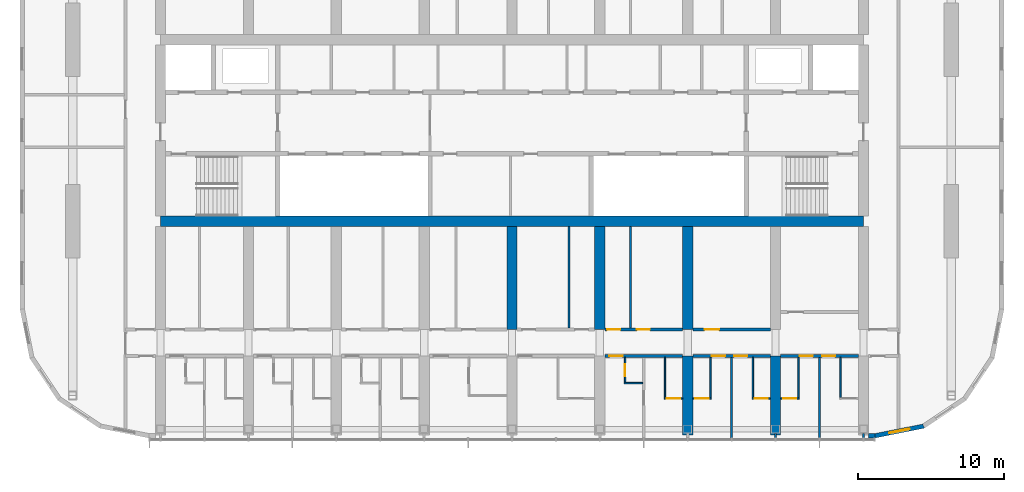
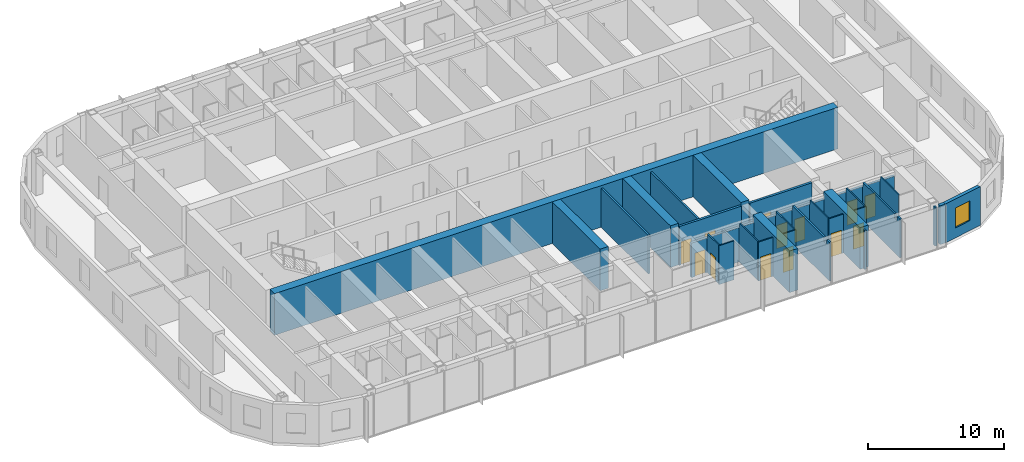
# One storey, part 13 of 24: 30 walls, 13 doors, 1 window, 14 openings.
"""IFC4 building model written with IfcOpenShell, lengths in metres."""

from ifc_helpers import new_model, si_unit, direction, frame, frame_2d, origin, place, context, subcontext, project, spatial, polyline, rectangle, outline, extrude, material, layer, layer_set, type_object, element, fill, save


model = new_model("IFC4")

# Units and contexts
model_context = context("Model", 3, precision=1e-05, world=origin(), true_north=direction((0.0, 1.0)))
body_context = subcontext(model_context, "Body", "Model", "MODEL_VIEW")
ifc_project = project(units=[si_unit("LENGTHUNIT", "METRE"), si_unit("AREAUNIT", "SQUARE_METRE"), si_unit("VOLUMEUNIT", "CUBIC_METRE"), si_unit("PLANEANGLEUNIT", "RADIAN"), si_unit("MASSUNIT", "GRAM", prefix="KILO")], contexts=[model_context])

# Site, building, storey
site_placement = place(None, origin())
site = spatial("IfcSite", under=ifc_project, at=site_placement, CompositionType="ELEMENT")
building_placement = place(site_placement, origin())
building = spatial("IfcBuilding", under=site, at=building_placement, Name="Orbita Commons", CompositionType="ELEMENT")
storey_placement = place(building_placement, frame((0.0, 0.0, 239.050048828125)))
storey = spatial("IfcBuildingStorey", under=building, at=storey_placement, Name="L59", CompositionType="ELEMENT", Elevation=239.050048828125)

# Wall
ifc_material_1 = material(Name="Concrete C50/60", Category="concrete")
ifc_layer_1 = layer(ifc_material_1, 0.699951171875)
ifc_layer_set_1 = layer_set([ifc_layer_1], Name="Concrete C50/60")
wall_type_1 = type_object("IfcWallType", Name="Core wall 700 C50/60", PredefinedType="SHEAR", material=ifc_layer_set_1)
wall_1_placement = place(storey_placement, frame((18.0, 25.800048828125, 0.0), z_axis=(0.0, 0.0, 1.0), x_axis=(1.0, 0.0, 0.0)))
element("IfcWall", 1, at=wall_1_placement, inside=storey, type_object=wall_type_1, Name="Core spine wall south L59", PredefinedType="SHEAR", context=body_context, shape_type="SweptSolid", body=[
    extrude(rectangle(XDim=48.0, YDim=0.699951171875, at=frame_2d((24.0, 0.0))), origin(), (0.0, 0.0, 1.0), 3.75),
])

# Wall, opening, door
ifc_material_2 = material(Name="Concrete blockwork", Category="masonry")
ifc_layer_2 = layer(ifc_material_2, 0.199951171875)
ifc_layer_set_2 = layer_set([ifc_layer_2], Name="Concrete blockwork")
wall_type_2 = type_object("IfcWallType", Name="Corridor wall 200 blockwork", PredefinedType="SOLIDWALL", material=ifc_layer_set_2)
wall_2_placement = place(storey_placement, frame((48.35009765625, 16.60009765625, 0.0), z_axis=(0.0, 0.0, 1.0), x_axis=(1.0, 0.0, 0.0)))
wall_2 = element("IfcWall", 2, at=wall_2_placement, inside=storey, type_object=wall_type_2, Name="Corridor wall 200 blockwork L59", PredefinedType="SOLIDWALL", context=body_context, shape_type="SweptSolid", body=[
    extrude(outline(polyline([(0.0, 0.0), (5.2998046875, 0.0), (5.300048828125, 3.099853515625), (0.0, 3.099853515625), (0.0, 0.0)])), frame((0.0, 0.10009765625, 0.0), z_axis=(0.0, -1.0, 0.0), x_axis=(1.0, 0.0, 0.0)), (0.0, 0.0, 1.0), 0.199951171875),
])
opening_1_placement = place(wall_2_placement, frame((0.300048828125, 0.0, 0.0)))
opening_1 = element("IfcOpeningElement", 3, at=opening_1_placement, cuts=wall_2, Name="Opening D11", PredefinedType="OPENING", context=body_context, shape_type="SweptSolid", body=[
    extrude(rectangle(XDim=0.89990234375, YDim=2.10009765625, at=frame_2d((0.449951171875, 1.050048828125))), frame((0.0, 0.10986328125, 0.0), z_axis=(0.0, -1.0, 0.0), x_axis=(1.0, 0.0, 0.0)), (0.0, 0.0, 1.0), 0.219970703125),
])
ifc_material_3 = material(Name="Steel-faced fire door leaf", Category="steel")
door_type_1 = type_object("IfcDoorType", Name="Corridor door 20 min 900x2100", OperationType="SINGLE_SWING_LEFT", PredefinedType="DOOR", material=ifc_material_3)
door_1_placement = place(opening_1_placement, origin())
door_1 = element("IfcDoor", 4, at=door_1_placement, inside=storey, type_object=door_type_1, Name="Guest suite sitting room and kitchenette L59-S10 entrance door", OperationType="SINGLE_SWING_LEFT", OverallHeight=2.10009765625, OverallWidth=0.89990234375, PredefinedType="DOOR", context=body_context, shape_type="SweptSolid", body=[
    extrude(rectangle(XDim=0.89990234375, YDim=2.10009765625, at=frame_2d((0.449951171875, 1.050048828125))), frame((0.0, 0.02490234375, 0.0), z_axis=(0.0, -1.0, 0.0), x_axis=(1.0, 0.0, 0.0)), (0.0, 0.0, 1.0), 0.050048828125),
])
fill(opening_1, door_1)

# Wall, openings, doors
wall_3_placement = place(storey_placement, frame((54.35009765625, 16.60009765625, 0.0), z_axis=(0.0, 0.0, 1.0), x_axis=(1.0, 0.0, 0.0)))
wall_3 = element("IfcWall", 5, at=wall_3_placement, inside=storey, type_object=wall_type_2, Name="Corridor wall 200 blockwork L59", PredefinedType="SOLIDWALL", context=body_context, shape_type="SweptSolid", body=[
    extrude(outline(polyline([(0.0, 0.0), (5.2998046875, 0.0), (5.300048828125, 3.099853515625), (0.0, 3.099853515625), (0.0, 0.0)])), frame((0.0, 0.10009765625, 0.0), z_axis=(0.0, -1.0, 0.0), x_axis=(1.0, 0.0, 0.0)), (0.0, 0.0, 1.0), 0.199951171875),
])
opening_2_placement = place(wall_3_placement, frame((1.300048828125, 0.0, 0.0)))
opening_2 = element("IfcOpeningElement", 6, at=opening_2_placement, cuts=wall_3, Name="Opening D11", PredefinedType="OPENING", context=body_context, shape_type="SweptSolid", body=[
    extrude(rectangle(XDim=0.89990234375, YDim=2.10009765625, at=frame_2d((0.449951171875, 1.050048828125))), frame((0.0, 0.10986328125, 0.0), z_axis=(0.0, -1.0, 0.0), x_axis=(1.0, 0.0, 0.0)), (0.0, 0.0, 1.0), 0.219970703125),
])
opening_3_placement = place(wall_3_placement, frame((2.824951171875, 0.0, 0.0)))
opening_3 = element("IfcOpeningElement", 7, at=opening_3_placement, cuts=wall_3, Name="Opening D11", PredefinedType="OPENING", context=body_context, shape_type="SweptSolid", body=[
    extrude(rectangle(XDim=0.89990234375, YDim=2.10009765625, at=frame_2d((0.449951171875, 1.050048828125))), frame((0.0, 0.10986328125, 0.0), z_axis=(0.0, -1.0, 0.0), x_axis=(1.0, 0.0, 0.0)), (0.0, 0.0, 1.0), 0.219970703125),
])
door_2_placement = place(opening_2_placement, origin())
door_2 = element("IfcDoor", 8, at=door_2_placement, inside=storey, type_object=door_type_1, Name="Cluster bedroom L59-S12 door", OperationType="SINGLE_SWING_LEFT", OverallHeight=2.10009765625, OverallWidth=0.89990234375, PredefinedType="DOOR", context=body_context, shape_type="SweptSolid", body=[
    extrude(rectangle(XDim=0.89990234375, YDim=2.10009765625, at=frame_2d((0.449951171875, 1.050048828125))), frame((0.0, 0.02490234375, 0.0), z_axis=(0.0, -1.0, 0.0), x_axis=(1.0, 0.0, 0.0)), (0.0, 0.0, 1.0), 0.050048828125),
])
fill(opening_2, door_2)
door_3_placement = place(opening_3_placement, origin())
door_3 = element("IfcDoor", 9, at=door_3_placement, inside=storey, type_object=door_type_1, Name="Cluster bedroom L59-S13 door", OperationType="SINGLE_SWING_LEFT", OverallHeight=2.10009765625, OverallWidth=0.89990234375, PredefinedType="DOOR", context=body_context, shape_type="SweptSolid", body=[
    extrude(rectangle(XDim=0.89990234375, YDim=2.10009765625, at=frame_2d((0.449951171875, 1.050048828125))), frame((0.0, 0.02490234375, 0.0), z_axis=(0.0, -1.0, 0.0), x_axis=(1.0, 0.0, 0.0)), (0.0, 0.0, 1.0), 0.050048828125),
])
fill(opening_3, door_3)

wall_4_placement = place(storey_placement, frame((60.35009765625, 16.60009765625, 0.0), z_axis=(0.0, 0.0, 1.0), x_axis=(1.0, 0.0, 0.0)))
wall_4 = element("IfcWall", 10, at=wall_4_placement, inside=storey, type_object=wall_type_2, Name="Corridor wall 200 blockwork L59", PredefinedType="SOLIDWALL", context=body_context, shape_type="SweptSolid", body=[
    extrude(outline(polyline([(0.0, 0.0), (5.2998046875, 0.0), (5.300048828125, 3.099853515625), (0.0, 3.099853515625), (0.0, 0.0)])), frame((0.0, 0.10009765625, 0.0), z_axis=(0.0, -1.0, 0.0), x_axis=(1.0, 0.0, 0.0)), (0.0, 0.0, 1.0), 0.199951171875),
])
opening_4_placement = place(wall_4_placement, frame((1.300048828125, 0.0, 0.0)))
opening_4 = element("IfcOpeningElement", 11, at=opening_4_placement, cuts=wall_4, Name="Opening D11", PredefinedType="OPENING", context=body_context, shape_type="SweptSolid", body=[
    extrude(rectangle(XDim=0.89990234375, YDim=2.10009765625, at=frame_2d((0.449951171875, 1.050048828125))), frame((0.0, 0.10986328125, 0.0), z_axis=(0.0, -1.0, 0.0), x_axis=(1.0, 0.0, 0.0)), (0.0, 0.0, 1.0), 0.219970703125),
])
opening_5_placement = place(wall_4_placement, frame((2.824951171875, 0.0, 0.0)))
opening_5 = element("IfcOpeningElement", 12, at=opening_5_placement, cuts=wall_4, Name="Opening D11", PredefinedType="OPENING", context=body_context, shape_type="SweptSolid", body=[
    extrude(rectangle(XDim=0.89990234375, YDim=2.10009765625, at=frame_2d((0.449951171875, 1.050048828125))), frame((0.0, 0.10986328125, 0.0), z_axis=(0.0, -1.0, 0.0), x_axis=(1.0, 0.0, 0.0)), (0.0, 0.0, 1.0), 0.219970703125),
])
door_4_placement = place(opening_4_placement, origin())
door_4 = element("IfcDoor", 13, at=door_4_placement, inside=storey, type_object=door_type_1, Name="Cluster bedroom L59-S14 door", OperationType="SINGLE_SWING_LEFT", OverallHeight=2.10009765625, OverallWidth=0.89990234375, PredefinedType="DOOR", context=body_context, shape_type="SweptSolid", body=[
    extrude(rectangle(XDim=0.89990234375, YDim=2.10009765625, at=frame_2d((0.449951171875, 1.050048828125))), frame((0.0, 0.02490234375, 0.0), z_axis=(0.0, -1.0, 0.0), x_axis=(1.0, 0.0, 0.0)), (0.0, 0.0, 1.0), 0.050048828125),
])
fill(opening_4, door_4)
door_5_placement = place(opening_5_placement, origin())
door_5 = element("IfcDoor", 14, at=door_5_placement, inside=storey, type_object=door_type_1, Name="Cluster bedroom L59-S15 door", OperationType="SINGLE_SWING_LEFT", OverallHeight=2.10009765625, OverallWidth=0.89990234375, PredefinedType="DOOR", context=body_context, shape_type="SweptSolid", body=[
    extrude(rectangle(XDim=0.89990234375, YDim=2.10009765625, at=frame_2d((0.449951171875, 1.050048828125))), frame((0.0, 0.02490234375, 0.0), z_axis=(0.0, -1.0, 0.0), x_axis=(1.0, 0.0, 0.0)), (0.0, 0.0, 1.0), 0.050048828125),
])
fill(opening_5, door_5)

ifc_material_4 = material(Name="Hollow concrete block 200", Category="concrete")
ifc_layer_3 = layer(ifc_material_4, 0.199951171875)
ifc_layer_set_3 = layer_set([ifc_layer_3], Name="Hollow concrete block 200")
wall_type_3 = type_object("IfcWallType", Name="Corridor wall 200 hollow concrete block", PredefinedType="SOLIDWALL", material=ifc_layer_set_3)
wall_5_placement = place(storey_placement, frame((48.35009765625, 18.39990234375, 0.0), z_axis=(0.0, 0.0, 1.0), x_axis=(1.0, 0.0, 0.0)))
wall_5 = element("IfcWall", 15, at=wall_5_placement, inside=storey, type_object=wall_type_3, Name="Corridor wall 200 hollow concrete block L59", PredefinedType="SOLIDWALL", context=body_context, shape_type="SweptSolid", body=[
    extrude(rectangle(XDim=5.2998046875, YDim=0.199951171875, at=frame_2d((2.64990234375, 0.0))), origin(), (0.0, 0.0, 1.0), 3.5),
])
opening_6_placement = place(wall_5_placement, frame((0.14990234375, 0.0, 0.0)))
opening_6 = element("IfcOpeningElement", 16, at=opening_6_placement, cuts=wall_5, Name="Opening D11", PredefinedType="OPENING", context=body_context, shape_type="SweptSolid", body=[
    extrude(rectangle(XDim=0.89990234375, YDim=2.10009765625, at=frame_2d((0.449951171875, 1.050048828125))), frame((0.0, 0.10986328125, 0.0), z_axis=(0.0, -1.0, 0.0), x_axis=(1.0, 0.0, 0.0)), (0.0, 0.0, 1.0), 0.219970703125),
])
opening_7_placement = place(wall_5_placement, frame((2.169921875, 0.0, 0.0)))
opening_7 = element("IfcOpeningElement", 17, at=opening_7_placement, cuts=wall_5, Name="Opening D11", PredefinedType="OPENING", context=body_context, shape_type="SweptSolid", body=[
    extrude(rectangle(XDim=0.89990234375, YDim=2.10009765625, at=frame_2d((0.449951171875, 1.050048828125))), frame((0.0, 0.10986328125, 0.0), z_axis=(0.0, -1.0, 0.0), x_axis=(1.0, 0.0, 0.0)), (0.0, 0.0, 1.0), 0.219970703125),
])
door_6_placement = place(opening_6_placement, origin())
door_6 = element("IfcDoor", 18, at=door_6_placement, inside=storey, type_object=door_type_1, Name="Sprinkler valve room L59-BDS48n door", OperationType="SINGLE_SWING_LEFT", OverallHeight=2.10009765625, OverallWidth=0.89990234375, PredefinedType="DOOR", context=body_context, shape_type="SweptSolid", body=[
    extrude(rectangle(XDim=0.89990234375, YDim=2.10009765625, at=frame_2d((0.449951171875, 1.050048828125))), frame((0.0, 0.02490234375, 0.0), z_axis=(0.0, -1.0, 0.0), x_axis=(1.0, 0.0, 0.0)), (0.0, 0.0, 1.0), 0.050048828125),
])
fill(opening_6, door_6)
door_7_placement = place(opening_7_placement, origin())
door_7 = element("IfcDoor", 19, at=door_7_placement, inside=storey, type_object=door_type_1, Name="Print and copy room L59-BDS48 door", OperationType="SINGLE_SWING_LEFT", OverallHeight=2.10009765625, OverallWidth=0.89990234375, PredefinedType="DOOR", context=body_context, shape_type="SweptSolid", body=[
    extrude(rectangle(XDim=0.89990234375, YDim=2.10009765625, at=frame_2d((0.449951171875, 1.050048828125))), frame((0.0, 0.02490234375, 0.0), z_axis=(0.0, -1.0, 0.0), x_axis=(1.0, 0.0, 0.0)), (0.0, 0.0, 1.0), 0.050048828125),
])
fill(opening_7, door_7)

# Wall, opening, door
wall_6_placement = place(storey_placement, frame((54.35009765625, 18.39990234375, 0.0), z_axis=(0.0, 0.0, 1.0), x_axis=(1.0, 0.0, 0.0)))
wall_6 = element("IfcWall", 20, at=wall_6_placement, inside=storey, type_object=wall_type_3, Name="Corridor wall 200 hollow concrete block L59", PredefinedType="SOLIDWALL", context=body_context, shape_type="SweptSolid", body=[
    extrude(rectangle(XDim=5.2998046875, YDim=0.199951171875, at=frame_2d((2.64990234375, 0.0))), origin(), (0.0, 0.0, 1.0), 3.5),
])
opening_8_placement = place(wall_6_placement, frame((0.800048828125, 0.0, 0.0)))
opening_8 = element("IfcOpeningElement", 21, at=opening_8_placement, cuts=wall_6, Name="Opening D06", PredefinedType="OPENING", context=body_context, shape_type="SweptSolid", body=[
    extrude(rectangle(XDim=1.0, YDim=2.10009765625, at=frame_2d((0.5, 1.050048828125))), frame((0.0, 0.10986328125, 0.0), z_axis=(0.0, -1.0, 0.0), x_axis=(1.0, 0.0, 0.0)), (0.0, 0.0, 1.0), 0.219970703125),
])
ifc_material_5 = material(Name="Steel-faced fire door leaf", Category="steel")
door_type_2 = type_object("IfcDoorType", Name="Corridor door 20 min 1000x2100", OperationType="SINGLE_SWING_LEFT", PredefinedType="DOOR", material=ifc_material_5)
door_8_placement = place(opening_8_placement, origin())
door_8 = element("IfcDoor", 22, at=door_8_placement, inside=storey, type_object=door_type_2, Name="Cleaners store L59-BDS54 door", OperationType="SINGLE_SWING_LEFT", OverallHeight=2.10009765625, OverallWidth=1.0, PredefinedType="DOOR", context=body_context, shape_type="SweptSolid", body=[
    extrude(rectangle(XDim=1.0, YDim=2.10009765625, at=frame_2d((0.5, 1.050048828125))), frame((0.0, 0.02490234375, 0.0), z_axis=(0.0, -1.0, 0.0), x_axis=(1.0, 0.0, 0.0)), (0.0, 0.0, 1.0), 0.050048828125),
])
fill(opening_8, door_8)

# Walls
ifc_material_6 = material(Name="Concrete C50/60", Category="concrete")
ifc_layer_4 = layer(ifc_material_6, 0.699951171875)
ifc_layer_set_4 = layer_set([ifc_layer_4], Name="Concrete C50/60")
wall_type_4 = type_object("IfcWallType", Name="Cross wall 700 C50/60", PredefinedType="SHEAR", material=ifc_layer_set_4)
for number, where, z_axis, x_axis, name in (
    (23, (42.0, 18.39990234375, 0.0), (0.0, 0.0, 1.0), (0.0, 1.0, 0.0), "Cross wall 8 south inner L59"),
    (24, (48.0, 18.39990234375, 0.0), (0.0, 0.0, 1.0), (0.0, 1.0, 0.0), "Cross wall 9 south inner L59"),
):
    element("IfcWall", number, at=place(storey_placement, frame(where, z_axis=z_axis, x_axis=x_axis)), inside=storey, type_object=wall_type_4, Name=name, PredefinedType="SHEAR", context=body_context, shape_type="SweptSolid", body=[
        extrude(rectangle(XDim=7.050048828125, YDim=0.699951171875, at=frame_2d((3.52490234375, 0.0))), origin(), (0.0, 0.0, 1.0), 3.75),
    ])
wall_7_placement = place(storey_placement, frame((54.0, 11.199951171875, 0.0), z_axis=(0.0, 0.0, 1.0), x_axis=(0.0, 1.0, 0.0)))
element("IfcWall", 25, at=wall_7_placement, inside=storey, type_object=wall_type_4, Name="Cross wall 10 south outer L59", PredefinedType="SHEAR", context=body_context, shape_type="SweptSolid", body=[
    extrude(rectangle(XDim=5.400146484375, YDim=0.699951171875, at=frame_2d((2.7001953125, 0.0))), origin(), (0.0, 0.0, 1.0), 3.75),
])
wall_8_placement = place(storey_placement, frame((54.0, 18.39990234375, 0.0), z_axis=(0.0, 0.0, 1.0), x_axis=(0.0, 1.0, 0.0)))
element("IfcWall", 26, at=wall_8_placement, inside=storey, type_object=wall_type_4, Name="Cross wall 10 south inner L59", PredefinedType="SHEAR", context=body_context, shape_type="SweptSolid", body=[
    extrude(rectangle(XDim=7.050048828125, YDim=0.699951171875, at=frame_2d((3.52490234375, 0.0))), origin(), (0.0, 0.0, 1.0), 3.75),
])
wall_9_placement = place(storey_placement, frame((60.0, 11.199951171875, 0.0), z_axis=(0.0, 0.0, 1.0), x_axis=(0.0, 1.0, 0.0)))
element("IfcWall", 27, at=wall_9_placement, inside=storey, type_object=wall_type_4, Name="Cross wall 11 south outer L59", PredefinedType="SHEAR", context=body_context, shape_type="SweptSolid", body=[
    extrude(rectangle(XDim=5.400146484375, YDim=0.699951171875, at=frame_2d((2.7001953125, 0.0))), origin(), (0.0, 0.0, 1.0), 3.75),
])

# Wall, opening, door
ifc_material_7 = material(Name="Moisture-resistant plasterboard on steel studs", Category="steel")
ifc_layer_5 = layer(ifc_material_7, 0.10009765625)
ifc_layer_set_5 = layer_set([ifc_layer_5], Name="Moisture-resistant plasterboard on steel studs")
wall_type_5 = type_object("IfcWallType", Name="En-suite partition 100", PredefinedType="PARTITIONING", material=ifc_layer_set_5)
wall_10_placement = place(storey_placement, frame((53.64990234375, 13.699951171875, 0.0), z_axis=(0.0, 0.0, 1.0), x_axis=(-1.0, 0.0, 0.0)))
wall_10 = element("IfcWall", 28, at=wall_10_placement, inside=storey, type_object=wall_type_5, Name="En-suite partition 100 L59", PredefinedType="PARTITIONING", context=body_context, shape_type="SweptSolid", body=[
    extrude(rectangle(XDim=1.25, YDim=0.10009765625, at=frame_2d((0.625, 0.0))), origin(), (0.0, 0.0, 1.0), 3.5),
])
opening_9_placement = place(wall_10_placement, frame((0.175048828125, 0.0, 0.0)))
opening_9 = element("IfcOpeningElement", 29, at=opening_9_placement, cuts=wall_10, Name="Opening D09", PredefinedType="OPENING", context=body_context, shape_type="SweptSolid", body=[
    extrude(rectangle(XDim=0.89990234375, YDim=2.10009765625, at=frame_2d((0.449951171875, 1.050048828125))), frame((0.0, 0.06005859375, 0.0), z_axis=(0.0, -1.0, 0.0), x_axis=(1.0, 0.0, 0.0)), (0.0, 0.0, 1.0), 0.1201171875),
])
ifc_material_8 = material(Name="Laminated timber door leaf", Category="wood")
door_type_3 = type_object("IfcDoorType", Name="En-suite door 900x2100", OperationType="SINGLE_SWING_RIGHT", PredefinedType="DOOR", material=ifc_material_8)
door_9_placement = place(opening_9_placement, origin())
door_9 = element("IfcDoor", 30, at=door_9_placement, inside=storey, type_object=door_type_3, Name="En-suite L59-S11 door", OperationType="SINGLE_SWING_RIGHT", OverallHeight=2.10009765625, OverallWidth=0.89990234375, PredefinedType="DOOR", context=body_context, shape_type="SweptSolid", body=[
    extrude(rectangle(XDim=0.89990234375, YDim=2.10009765625, at=frame_2d((0.449951171875, 1.050048828125))), frame((0.0, 0.02490234375, 0.0), z_axis=(0.0, -1.0, 0.0), x_axis=(1.0, 0.0, 0.0)), (0.0, 0.0, 1.0), 0.050048828125),
])
fill(opening_9, door_9)

# Walls
wall_11_placement = place(storey_placement, frame((52.449951171875, 13.75, 0.0), z_axis=(0.0, 0.0, 1.0), x_axis=(0.0, 1.0, 0.0)))
element("IfcWall", 31, at=wall_11_placement, inside=storey, type_object=wall_type_5, Name="En-suite partition 100 L59", PredefinedType="PARTITIONING", context=body_context, shape_type="SweptSolid", body=[
    extrude(outline(polyline([(0.0, 0.0), (2.75, 0.0), (2.75, 3.099853515625), (2.701904296875, 3.099853515625), (2.699951171875, 3.5), (0.0, 3.5), (0.0, 0.0)])), frame((0.0, 0.050048828125, 0.0), z_axis=(0.0, -1.0, 0.0), x_axis=(1.0, 0.0, 0.0)), (0.0, 0.0, 1.0), 0.10009765625),
])
wall_12_placement = place(storey_placement, frame((49.64990234375, 14.75, 0.0), z_axis=(0.0, 0.0, 1.0), x_axis=(1.0, 0.0, 0.0)))
element("IfcWall", 32, at=wall_12_placement, inside=storey, type_object=wall_type_5, Name="En-suite partition 100 L59", PredefinedType="PARTITIONING", context=body_context, shape_type="SweptSolid", body=[
    extrude(rectangle(XDim=1.275146484375, YDim=0.10009765625, at=frame_2d((0.6376953125, 0.0))), origin(), (0.0, 0.0, 1.0), 3.5),
])

# Wall, opening, door
wall_13_placement = place(storey_placement, frame((49.72509765625, 14.75, 0.0), z_axis=(0.0, 0.0, 1.0), x_axis=(0.0, 1.0, 0.0)))
wall_13 = element("IfcWall", 33, at=wall_13_placement, inside=storey, type_object=wall_type_5, Name="En-suite partition 100 L59", PredefinedType="PARTITIONING", context=body_context, shape_type="SweptSolid", body=[
    extrude(outline(polyline([(0.0, 0.0), (1.75, 0.0), (1.75, 3.099853515625), (1.701904296875, 3.099853515625), (1.699951171875, 3.5), (0.0, 3.5), (0.0, 0.0)])), frame((0.0, 0.050048828125, 0.0), z_axis=(0.0, -1.0, 0.0), x_axis=(1.0, 0.0, 0.0)), (0.0, 0.0, 1.0), 0.10009765625),
])
opening_10_placement = place(wall_13_placement, frame((0.47509765625, 0.0, 0.0)))
opening_10 = element("IfcOpeningElement", 34, at=opening_10_placement, cuts=wall_13, Name="Opening D16", PredefinedType="OPENING", context=body_context, shape_type="SweptSolid", body=[
    extrude(rectangle(XDim=0.800048828125, YDim=2.10009765625, at=frame_2d((0.39990234375, 1.050048828125))), frame((0.0, 0.06005859375, 0.0), z_axis=(0.0, -1.0, 0.0), x_axis=(1.0, 0.0, 0.0)), (0.0, 0.0, 1.0), 0.1201171875),
])
ifc_material_9 = material(Name="Laminated timber door leaf", Category="wood")
door_type_4 = type_object("IfcDoorType", Name="En-suite door 800x2100", OperationType="SINGLE_SWING_RIGHT", PredefinedType="DOOR", material=ifc_material_9)
door_10_placement = place(opening_10_placement, origin())
door_10 = element("IfcDoor", 35, at=door_10_placement, inside=storey, type_object=door_type_4, Name="Guest suite WC L59-S10 door", OperationType="SINGLE_SWING_RIGHT", OverallHeight=2.10009765625, OverallWidth=0.800048828125, PredefinedType="DOOR", context=body_context, shape_type="SweptSolid", body=[
    extrude(rectangle(XDim=0.800048828125, YDim=2.10009765625, at=frame_2d((0.39990234375, 1.050048828125))), frame((0.0, 0.02490234375, 0.0), z_axis=(0.0, -1.0, 0.0), x_axis=(1.0, 0.0, 0.0)), (0.0, 0.0, 1.0), 0.050048828125),
])
fill(opening_10, door_10)

wall_14_placement = place(storey_placement, frame((55.60009765625, 13.699951171875, 0.0), z_axis=(0.0, 0.0, 1.0), x_axis=(-1.0, 0.0, 0.0)))
wall_14 = element("IfcWall", 36, at=wall_14_placement, inside=storey, type_object=wall_type_5, Name="En-suite partition 100 L59", PredefinedType="PARTITIONING", context=body_context, shape_type="SweptSolid", body=[
    extrude(rectangle(XDim=1.25, YDim=0.10009765625, at=frame_2d((0.625, 0.0))), origin(), (0.0, 0.0, 1.0), 3.5),
])
opening_11_placement = place(wall_14_placement, frame((0.175048828125, 0.0, 0.0)))
opening_11 = element("IfcOpeningElement", 37, at=opening_11_placement, cuts=wall_14, Name="Opening D09", PredefinedType="OPENING", context=body_context, shape_type="SweptSolid", body=[
    extrude(rectangle(XDim=0.89990234375, YDim=2.10009765625, at=frame_2d((0.449951171875, 1.050048828125))), frame((0.0, 0.06005859375, 0.0), z_axis=(0.0, -1.0, 0.0), x_axis=(1.0, 0.0, 0.0)), (0.0, 0.0, 1.0), 0.1201171875),
])
door_11_placement = place(opening_11_placement, origin())
door_11 = element("IfcDoor", 38, at=door_11_placement, inside=storey, type_object=door_type_3, Name="En-suite L59-S12 door", OperationType="SINGLE_SWING_RIGHT", OverallHeight=2.10009765625, OverallWidth=0.89990234375, PredefinedType="DOOR", context=body_context, shape_type="SweptSolid", body=[
    extrude(rectangle(XDim=0.89990234375, YDim=2.10009765625, at=frame_2d((0.449951171875, 1.050048828125))), frame((0.0, 0.02490234375, 0.0), z_axis=(0.0, -1.0, 0.0), x_axis=(1.0, 0.0, 0.0)), (0.0, 0.0, 1.0), 0.050048828125),
])
fill(opening_11, door_11)

# Wall
wall_15_placement = place(storey_placement, frame((55.550048828125, 13.75, 0.0), z_axis=(0.0, 0.0, 1.0), x_axis=(0.0, 1.0, 0.0)))
element("IfcWall", 39, at=wall_15_placement, inside=storey, type_object=wall_type_5, Name="En-suite partition 100 L59", PredefinedType="PARTITIONING", context=body_context, shape_type="SweptSolid", body=[
    extrude(outline(polyline([(0.0, 0.0), (2.75, 0.0), (2.75, 3.099853515625), (2.701904296875, 3.099853515625), (2.699951171875, 3.5), (0.0, 3.5), (0.0, 0.0)])), frame((0.0, 0.050048828125, 0.0), z_axis=(0.0, -1.0, 0.0), x_axis=(1.0, 0.0, 0.0)), (0.0, 0.0, 1.0), 0.10009765625),
])

# Wall, opening, door
wall_16_placement = place(storey_placement, frame((59.64990234375, 13.699951171875, 0.0), z_axis=(0.0, 0.0, 1.0), x_axis=(-1.0, 0.0, 0.0)))
wall_16 = element("IfcWall", 40, at=wall_16_placement, inside=storey, type_object=wall_type_5, Name="En-suite partition 100 L59", PredefinedType="PARTITIONING", context=body_context, shape_type="SweptSolid", body=[
    extrude(rectangle(XDim=1.25, YDim=0.10009765625, at=frame_2d((0.625, 0.0))), origin(), (0.0, 0.0, 1.0), 3.5),
])
opening_12_placement = place(wall_16_placement, frame((0.175048828125, 0.0, 0.0)))
opening_12 = element("IfcOpeningElement", 41, at=opening_12_placement, cuts=wall_16, Name="Opening D09", PredefinedType="OPENING", context=body_context, shape_type="SweptSolid", body=[
    extrude(rectangle(XDim=0.89990234375, YDim=2.10009765625, at=frame_2d((0.449951171875, 1.050048828125))), frame((0.0, 0.06005859375, 0.0), z_axis=(0.0, -1.0, 0.0), x_axis=(1.0, 0.0, 0.0)), (0.0, 0.0, 1.0), 0.1201171875),
])
door_12_placement = place(opening_12_placement, origin())
door_12 = element("IfcDoor", 42, at=door_12_placement, inside=storey, type_object=door_type_3, Name="En-suite L59-S13 door", OperationType="SINGLE_SWING_RIGHT", OverallHeight=2.10009765625, OverallWidth=0.89990234375, PredefinedType="DOOR", context=body_context, shape_type="SweptSolid", body=[
    extrude(rectangle(XDim=0.89990234375, YDim=2.10009765625, at=frame_2d((0.449951171875, 1.050048828125))), frame((0.0, 0.02490234375, 0.0), z_axis=(0.0, -1.0, 0.0), x_axis=(1.0, 0.0, 0.0)), (0.0, 0.0, 1.0), 0.050048828125),
])
fill(opening_12, door_12)

# Wall
wall_17_placement = place(storey_placement, frame((58.449951171875, 13.75, 0.0), z_axis=(0.0, 0.0, 1.0), x_axis=(0.0, 1.0, 0.0)))
element("IfcWall", 43, at=wall_17_placement, inside=storey, type_object=wall_type_5, Name="En-suite partition 100 L59", PredefinedType="PARTITIONING", context=body_context, shape_type="SweptSolid", body=[
    extrude(outline(polyline([(0.0, 0.0), (2.75, 0.0), (2.75, 3.099853515625), (2.701904296875, 3.099853515625), (2.699951171875, 3.5), (0.0, 3.5), (0.0, 0.0)])), frame((0.0, 0.050048828125, 0.0), z_axis=(0.0, -1.0, 0.0), x_axis=(1.0, 0.0, 0.0)), (0.0, 0.0, 1.0), 0.10009765625),
])

# Wall, opening, door
wall_18_placement = place(storey_placement, frame((61.60009765625, 13.699951171875, 0.0), z_axis=(0.0, 0.0, 1.0), x_axis=(-1.0, 0.0, 0.0)))
wall_18 = element("IfcWall", 44, at=wall_18_placement, inside=storey, type_object=wall_type_5, Name="En-suite partition 100 L59", PredefinedType="PARTITIONING", context=body_context, shape_type="SweptSolid", body=[
    extrude(rectangle(XDim=1.25, YDim=0.10009765625, at=frame_2d((0.625, 0.0))), origin(), (0.0, 0.0, 1.0), 3.5),
])
opening_13_placement = place(wall_18_placement, frame((0.175048828125, 0.0, 0.0)))
opening_13 = element("IfcOpeningElement", 45, at=opening_13_placement, cuts=wall_18, Name="Opening D09", PredefinedType="OPENING", context=body_context, shape_type="SweptSolid", body=[
    extrude(rectangle(XDim=0.89990234375, YDim=2.10009765625, at=frame_2d((0.449951171875, 1.050048828125))), frame((0.0, 0.06005859375, 0.0), z_axis=(0.0, -1.0, 0.0), x_axis=(1.0, 0.0, 0.0)), (0.0, 0.0, 1.0), 0.1201171875),
])
door_13_placement = place(opening_13_placement, origin())
door_13 = element("IfcDoor", 46, at=door_13_placement, inside=storey, type_object=door_type_3, Name="En-suite L59-S14 door", OperationType="SINGLE_SWING_RIGHT", OverallHeight=2.10009765625, OverallWidth=0.89990234375, PredefinedType="DOOR", context=body_context, shape_type="SweptSolid", body=[
    extrude(rectangle(XDim=0.89990234375, YDim=2.10009765625, at=frame_2d((0.449951171875, 1.050048828125))), frame((0.0, 0.02490234375, 0.0), z_axis=(0.0, -1.0, 0.0), x_axis=(1.0, 0.0, 0.0)), (0.0, 0.0, 1.0), 0.050048828125),
])
fill(opening_13, door_13)

# Walls
for number, where, z_axis, x_axis, name in (
    (47, (61.550048828125, 13.75, 0.0), (0.0, 0.0, 1.0), (0.0, 1.0, 0.0), "En-suite partition 100 L59"),
    (48, (64.449951171875, 13.75, 0.0), (0.0, 0.0, 1.0), (0.0, 1.0, 0.0), "En-suite partition 100 L59"),
):
    element("IfcWall", number, at=place(storey_placement, frame(where, z_axis=z_axis, x_axis=x_axis)), inside=storey, type_object=wall_type_5, Name=name, PredefinedType="PARTITIONING", context=body_context, shape_type="SweptSolid", body=[
        extrude(outline(polyline([(0.0, 0.0), (2.75, 0.0), (2.75, 3.099853515625), (2.701904296875, 3.099853515625), (2.699951171875, 3.5), (0.0, 3.5), (0.0, 0.0)])), frame((0.0, 0.050048828125, 0.0), z_axis=(0.0, -1.0, 0.0), x_axis=(1.0, 0.0, 0.0)), (0.0, 0.0, 1.0), 0.10009765625),
    ])
ifc_material_10 = material(Name="Gypsum plasterboard on steel studs", Category="steel")
ifc_layer_6 = layer(ifc_material_10, 0.14990234375)
ifc_layer_set_6 = layer_set([ifc_layer_6], Name="Gypsum plasterboard on steel studs")
wall_type_6 = type_object("IfcWallType", Name="Partition 150 plasterboard", PredefinedType="PARTITIONING", material=ifc_layer_set_6)
for number, where, z_axis, x_axis, name in (
    (49, (45.885009765625, 18.5, 0.0), (0.0, 0.0, 1.0), (0.0, 1.0, 0.0), "Partition 150 plasterboard L59"),
    (50, (50.094970703125, 18.5, 0.0), (0.0, 0.0, 1.0), (0.0, 1.0, 0.0), "Partition 150 plasterboard L59"),
):
    element("IfcWall", number, at=place(storey_placement, frame(where, z_axis=z_axis, x_axis=x_axis)), inside=storey, type_object=wall_type_6, Name=name, PredefinedType="PARTITIONING", context=body_context, shape_type="SweptSolid", body=[
        extrude(rectangle(XDim=6.949951171875, YDim=0.14990234375, at=frame_2d((3.47509765625, 0.0))), origin(), (0.0, 0.0, 1.0), 3.5),
    ])
for number, where, z_axis, x_axis, name in (
    (51, (60.0, 11.300048828125, 0.0), (0.0, 0.0, 1.0), (0.0, -1.0, 0.0), "Partition 150 plasterboard L59"),
    (52, (66.0, 11.300048828125, 0.0), (0.0, 0.0, 1.0), (0.0, -1.0, 0.0), "Partition 150 plasterboard L59"),
):
    element("IfcWall", number, at=place(storey_placement, frame(where, z_axis=z_axis, x_axis=x_axis)), inside=storey, type_object=wall_type_6, Name=name, PredefinedType="PARTITIONING", context=body_context, shape_type="SweptSolid", body=[
        extrude(rectangle(XDim=0.2900390625, YDim=0.14990234375, at=frame_2d((0.14501953125, 0.0))), origin(), (0.0, 0.0, 1.0), 3.5),
    ])
ifc_material_11 = material(Name="Gypsum plasterboard on steel studs", Category="steel")
ifc_layer_7 = layer(ifc_material_11, 0.14990234375)
ifc_layer_set_7 = layer_set([ifc_layer_7], Name="Gypsum plasterboard on steel studs")
wall_type_7 = type_object("IfcWallType", Name="Party wall 150 plasterboard", PredefinedType="PARTITIONING", material=ifc_layer_set_7)
for number, where, z_axis, x_axis, name in (
    (53, (57.0, 11.010009765625, 0.0), (0.0, 0.0, 1.0), (0.0, 1.0, 0.0), "Party wall 150 plasterboard L59"),
    (54, (63.0, 11.010009765625, 0.0), (0.0, 0.0, 1.0), (0.0, 1.0, 0.0), "Party wall 150 plasterboard L59"),
):
    element("IfcWall", number, at=place(storey_placement, frame(where, z_axis=z_axis, x_axis=x_axis)), inside=storey, type_object=wall_type_7, Name=name, PredefinedType="PARTITIONING", context=body_context, shape_type="SweptSolid", body=[
        extrude(outline(polyline([(0.0, 0.0), (5.489990234375, 0.0), (5.489990234375, 3.099853515625), (5.44189453125, 3.099853515625), (5.43994140625, 3.5), (0.7919921875, 3.5), (0.7900390625, 3.099853515625), (0.39208984375, 3.099853515625), (0.389892578125, 3.5), (0.0, 3.5), (0.0, 0.0)])), frame((0.0, 0.074951171875, 0.0), z_axis=(0.0, -1.0, 0.0), x_axis=(1.0, 0.0, 0.0)), (0.0, 0.0, 1.0), 0.14990234375),
    ])

# Wall, opening, window
ifc_material_12 = material(Name="Precast concrete C40/50, white board-marked finish", Category="concrete")
ifc_layer_8 = layer(ifc_material_12, 0.300048828125)
ifc_layer_set_8 = layer_set([ifc_layer_8], Name="Precast concrete C40/50, white board-marked finish")
wall_type_8 = type_object("IfcWallType", Name="Precast concrete end shield 300", PredefinedType="SOLIDWALL", material=ifc_layer_set_8)
wall_19_placement = place(storey_placement, frame((66.800048828125, 11.14990234375, 0.0), z_axis=(0.0, 0.0, 1.0), x_axis=(0.98078325777, 0.195100490205, 0.0)))
wall_19 = element("IfcWall", 55, at=wall_19_placement, inside=storey, type_object=wall_type_8, Name="End shield SE chord 1 L59", PredefinedType="SOLIDWALL", context=body_context, shape_type="SweptSolid", body=[
    extrude(outline(polyline([(-0.02978515625, -0.14990234375), (3.40478515625, -0.14990234375), (3.34521484375, 0.14990234375), (0.02978515625, 0.14990234375), (-0.02978515625, -0.14990234375)])), origin(), (0.0, 0.0, 1.0), 3.5),
])
opening_14_placement = place(wall_19_placement, frame((0.987548828125, 0.0, 0.89990234375)))
opening_14 = element("IfcOpeningElement", 56, at=opening_14_placement, cuts=wall_19, Name="Opening W02", PredefinedType="OPENING", context=body_context, shape_type="SweptSolid", body=[
    extrude(rectangle(XDim=1.39990234375, YDim=1.800048828125, at=frame_2d((0.699951171875, 0.89990234375))), frame((0.0, 0.159912109375, 0.0), z_axis=(0.0, -1.0, 0.0), x_axis=(1.0, 0.0, 0.0)), (0.0, 0.0, 1.0), 0.320068359375),
])
ifc_material_13 = material(Name="Aluminium frame, clear double glazing", Category="aluminium")
window_type = type_object("IfcWindowType", Name="Deep-set window 1400x1800", PartitioningType="SINGLE_PANEL", PredefinedType="WINDOW", material=ifc_material_13)
window_placement = place(opening_14_placement, origin())
window = element("IfcWindow", 57, at=window_placement, inside=storey, type_object=window_type, Name="Window L59-SE0", OverallHeight=1.800048828125, OverallWidth=1.39990234375, PartitioningType="SINGLE_PANEL", PredefinedType="WINDOW", context=body_context, shape_type="SweptSolid", body=[
    extrude(rectangle(XDim=1.39990234375, YDim=1.800048828125, at=frame_2d((0.699951171875, 0.89990234375))), frame((0.0, 0.030029296875, 0.0), z_axis=(0.0, -1.0, 0.0), x_axis=(1.0, 0.0, 0.0)), (0.0, 0.0, 1.0), 0.06005859375),
])
fill(opening_14, window)

# Wall
wall_20_placement = place(storey_placement, frame((66.800048828125, 11.14990234375, 0.0), z_axis=(0.0, 0.0, 1.0), x_axis=(-1.0, 0.0, 0.0)))
element("IfcWall", 58, at=wall_20_placement, inside=storey, type_object=wall_type_8, Name="End shield SE closer L59", PredefinedType="SOLIDWALL", context=body_context, shape_type="SweptSolid", body=[
    extrude(rectangle(XDim=0.449951171875, YDim=0.300048828125, at=frame_2d((0.22509765625, 0.0))), origin(), (0.0, 0.0, 1.0), 3.5),
])

save(model, "model.ifc")
